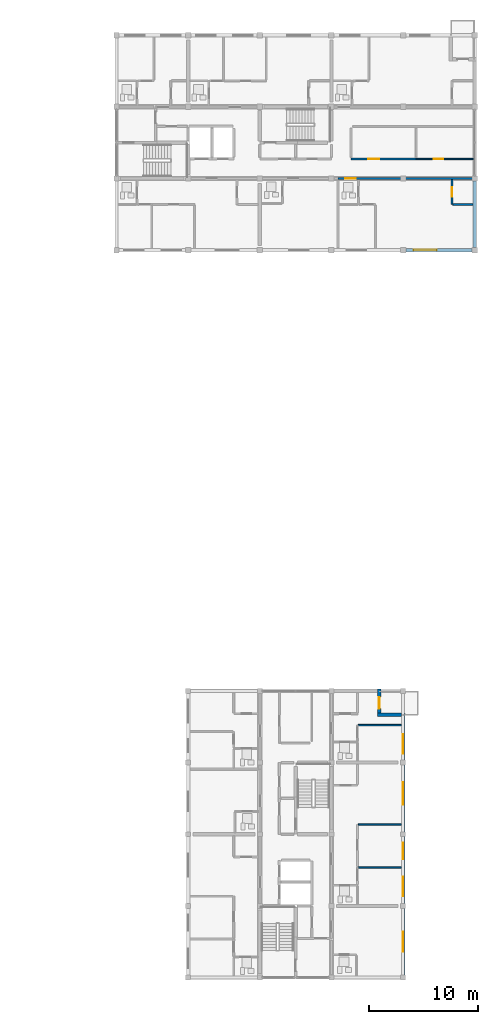
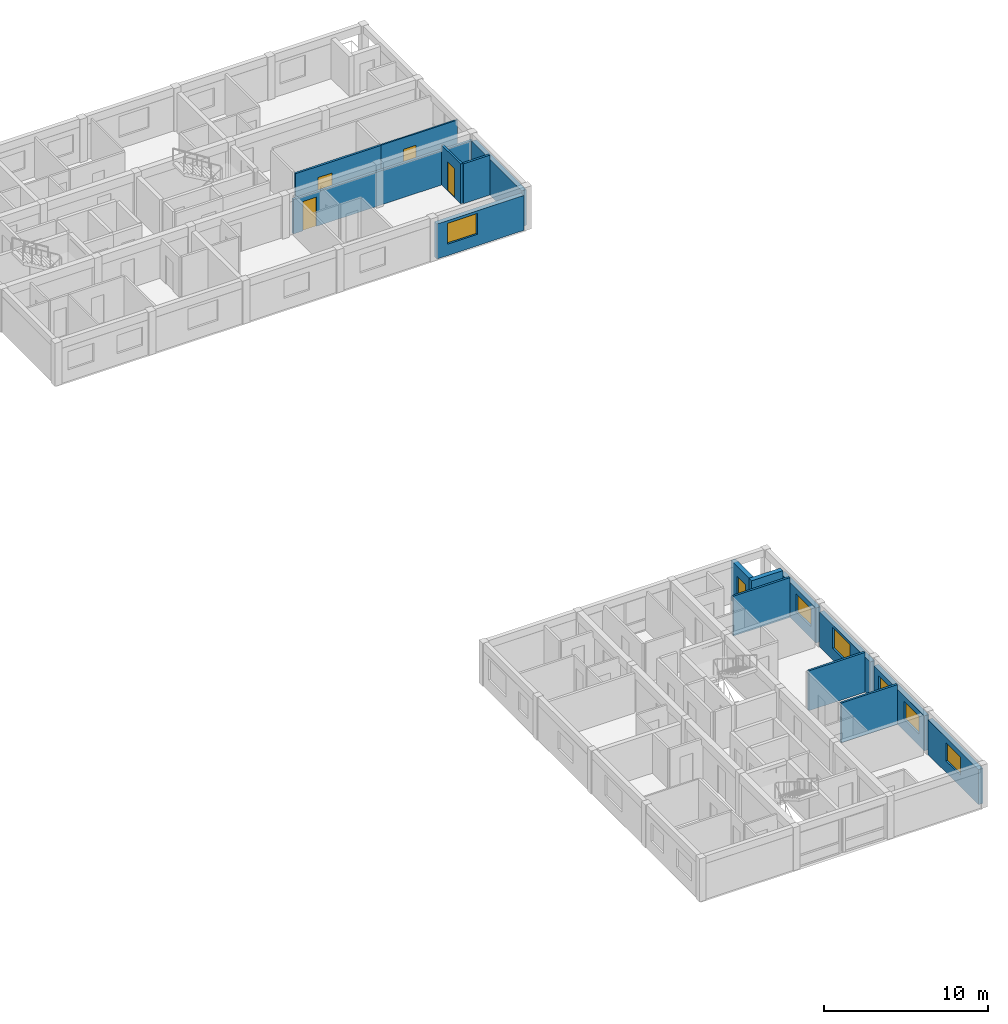
# One storey, part 37 of 45: 16 walls, 6 windows, 5 doors, 11 openings.
"""IFC4 building model written with IfcOpenShell, lengths in metres."""

from ifc_helpers import new_model, si_unit, direction, frame, frame_2d, origin, place, context, subcontext, project, spatial, rectangle, extrude, material, layer, layer_set, type_object, element, fill, save


model = new_model("IFC4")

# Units and contexts
model_context = context("Model", 3, precision=1e-05, world=origin(), true_north=direction((0.0, 1.0)))
body_context = subcontext(model_context, "Body", "Model", "MODEL_VIEW")
ifc_project = project(units=[si_unit("LENGTHUNIT", "METRE"), si_unit("AREAUNIT", "SQUARE_METRE"), si_unit("VOLUMEUNIT", "CUBIC_METRE"), si_unit("PLANEANGLEUNIT", "RADIAN"), si_unit("MASSUNIT", "GRAM", prefix="KILO")], contexts=[model_context])

# Site, building, storey
site_placement = place(None, origin())
site = spatial("IfcSite", under=ifc_project, at=site_placement, CompositionType="ELEMENT")
building_placement = place(site_placement, origin())
building = spatial("IfcBuilding", under=site, at=building_placement, Name="Kernevlak Ridge Housing Community", CompositionType="ELEMENT")
storey_placement = place(building_placement, frame((0.0, 0.0, 21.199951171875)))
storey = spatial("IfcBuildingStorey", under=building, at=storey_placement, Name="L06", CompositionType="ELEMENT", Elevation=21.199951171875)

# Wall, opening, window
ifc_material_1 = material(Name="Concrete block masonry M10", Category="masonry")
ifc_layer_1 = layer(ifc_material_1, 0.320068359375, Name="Concrete block masonry M10")
ifc_layer_set_1 = layer_set([ifc_layer_1], Name="Concrete block masonry M10")
wall_type_1 = type_object("IfcWallType", Name="EW-02", PredefinedType="STANDARD", material=ifc_layer_set_1)
wall_1_placement = place(storey_placement, frame((146.050048828125, 82.60009765625, 0.0), z_axis=(0.0, 0.0, 1.0), x_axis=(1.0, 0.0, 0.0)))
wall_1 = element("IfcWall", 1, at=wall_1_placement, inside=storey, type_object=wall_type_1, Name="Exterior wall EW-02 L06 391", PredefinedType="STANDARD", context=body_context, shape_type="SweptSolid", body=[
    extrude(rectangle(XDim=6.099853515625, YDim=0.320068359375, at=frame_2d((3.0498046875, 0.0))), origin(), (0.0, 0.0, 1.0), 2.60009765625),
])
opening_1_placement = place(wall_1_placement, frame((0.72509765625, 0.0, 0.85009765625)))
opening_1 = element("IfcOpeningElement", 2, at=opening_1_placement, cuts=wall_1, Name="Opening WT-05", PredefinedType="OPENING", context=body_context, shape_type="SweptSolid", body=[
    extrude(rectangle(XDim=2.10009765625, YDim=1.550048828125, at=frame_2d((1.050048828125, 0.77490234375))), frame((0.0, 0.169921875, 0.0), z_axis=(0.0, -1.0, 0.0), x_axis=(1.0, 0.0, 0.0)), (0.0, 0.0, 1.0), 0.340087890625),
])
ifc_material_2 = material(Name="Aluminium EN AW-6060 anodised and laminated glass", Category="aluminium")
window_type_1 = type_object("IfcWindowType", Name="WT-05", PartitioningType="SINGLE_PANEL", PredefinedType="WINDOW", material=ifc_material_2)
window_1_placement = place(opening_1_placement, origin())
window_1 = element("IfcWindow", 3, at=window_1_placement, inside=storey, type_object=window_type_1, Name="Window WT-05 L06 301", OverallHeight=1.550048828125, OverallWidth=2.10009765625, PartitioningType="SINGLE_PANEL", PredefinedType="WINDOW", context=body_context, shape_type="SweptSolid", body=[
    extrude(rectangle(XDim=2.10009765625, YDim=1.550048828125, at=frame_2d((1.050048828125, 0.77490234375))), frame((0.0, 0.030029296875, 0.0), z_axis=(0.0, -1.0, 0.0), x_axis=(1.0, 0.0, 0.0)), (0.0, 0.0, 1.0), 0.06005859375),
])
fill(opening_1, window_1)

# Wall
wall_2_placement = place(storey_placement, frame((152.39990234375, 82.85009765625, 0.0), z_axis=(0.0, 0.0, 1.0), x_axis=(0.0, 1.0, 0.0)))
element("IfcWall", 4, at=wall_2_placement, inside=storey, type_object=wall_type_1, Name="Exterior wall EW-02 L06 401", PredefinedType="STANDARD", context=body_context, shape_type="SweptSolid", body=[
    extrude(rectangle(XDim=6.099853515625, YDim=0.320068359375, at=frame_2d((3.0498046875, 0.0))), origin(), (0.0, 0.0, 1.0), 2.650146484375),
])

# Wall, opening, window
wall_3_placement = place(storey_placement, frame((145.800048828125, 15.824951171875, 0.0), z_axis=(0.0, 0.0, 1.0), x_axis=(0.0, 1.0, 0.0)))
wall_3 = element("IfcWall", 5, at=wall_3_placement, inside=storey, type_object=wall_type_1, Name="Exterior wall EW-02 L06 618", PredefinedType="STANDARD", context=body_context, shape_type="SweptSolid", body=[
    extrude(rectangle(XDim=6.150146484375, YDim=0.320068359375, at=frame_2d((3.0751953125, 0.0))), origin(), (0.0, 0.0, 1.0), 2.60009765625),
])
opening_2_placement = place(wall_3_placement, frame((2.175048828125, 0.0, 0.85009765625)))
opening_2 = element("IfcOpeningElement", 6, at=opening_2_placement, cuts=wall_3, Name="Opening WT-03", PredefinedType="OPENING", context=body_context, shape_type="SweptSolid", body=[
    extrude(rectangle(XDim=1.800048828125, YDim=1.35009765625, at=frame_2d((0.89990234375, 0.675048828125))), frame((0.0, 0.169921875, 0.0), z_axis=(0.0, -1.0, 0.0), x_axis=(1.0, 0.0, 0.0)), (0.0, 0.0, 1.0), 0.340087890625),
])
window_type_2 = type_object("IfcWindowType", Name="WT-03", PartitioningType="SINGLE_PANEL", PredefinedType="WINDOW", material=ifc_material_2)
window_2_placement = place(opening_2_placement, origin())
window_2 = element("IfcWindow", 7, at=window_2_placement, inside=storey, type_object=window_type_2, Name="Window WT-03 L06 504", OverallHeight=1.35009765625, OverallWidth=1.800048828125, PartitioningType="SINGLE_PANEL", PredefinedType="WINDOW", context=body_context, shape_type="SweptSolid", body=[
    extrude(rectangle(XDim=1.800048828125, YDim=1.35009765625, at=frame_2d((0.89990234375, 0.675048828125))), frame((0.0, 0.030029296875, 0.0), z_axis=(0.0, -1.0, 0.0), x_axis=(1.0, 0.0, 0.0)), (0.0, 0.0, 1.0), 0.06005859375),
])
fill(opening_2, window_2)

# Wall, openings, windows
wall_4_placement = place(storey_placement, frame((145.800048828125, 22.425048828125, 0.0), z_axis=(0.0, 0.0, 1.0), x_axis=(0.0, 1.0, 0.0)))
wall_4 = element("IfcWall", 8, at=wall_4_placement, inside=storey, type_object=wall_type_1, Name="Exterior wall EW-02 L06 619", PredefinedType="STANDARD", context=body_context, shape_type="SweptSolid", body=[
    extrude(rectangle(XDim=6.14990234375, YDim=0.320068359375, at=frame_2d((3.074951171875, 0.0))), origin(), (0.0, 0.0, 1.0), 2.60009765625),
])
opening_3_placement = place(wall_4_placement, frame((0.64990234375, 0.0, 0.85009765625)))
opening_3 = element("IfcOpeningElement", 9, at=opening_3_placement, cuts=wall_4, Name="Opening WT-03", PredefinedType="OPENING", context=body_context, shape_type="SweptSolid", body=[
    extrude(rectangle(XDim=1.800048828125, YDim=1.35009765625, at=frame_2d((0.89990234375, 0.675048828125))), frame((0.0, 0.169921875, 0.0), z_axis=(0.0, -1.0, 0.0), x_axis=(1.0, 0.0, 0.0)), (0.0, 0.0, 1.0), 0.340087890625),
])
opening_4_placement = place(wall_4_placement, frame((4.074951171875, 0.0, 0.85009765625)))
opening_4 = element("IfcOpeningElement", 10, at=opening_4_placement, cuts=wall_4, Name="Opening WT-02", PredefinedType="OPENING", context=body_context, shape_type="SweptSolid", body=[
    extrude(rectangle(XDim=1.5, YDim=1.35009765625, at=frame_2d((0.75, 0.675048828125))), frame((0.0, 0.169921875, 0.0), z_axis=(0.0, -1.0, 0.0), x_axis=(1.0, 0.0, 0.0)), (0.0, 0.0, 1.0), 0.340087890625),
])
window_type_3 = type_object("IfcWindowType", Name="WT-02", PartitioningType="SINGLE_PANEL", PredefinedType="WINDOW", material=ifc_material_2)
window_3_placement = place(opening_4_placement, origin())
window_3 = element("IfcWindow", 11, at=window_3_placement, inside=storey, type_object=window_type_3, Name="Window WT-02 L06 506", OverallHeight=1.35009765625, OverallWidth=1.5, PartitioningType="SINGLE_PANEL", PredefinedType="WINDOW", context=body_context, shape_type="SweptSolid", body=[
    extrude(rectangle(XDim=1.5, YDim=1.35009765625, at=frame_2d((0.75, 0.675048828125))), frame((0.0, 0.030029296875, 0.0), z_axis=(0.0, -1.0, 0.0), x_axis=(1.0, 0.0, 0.0)), (0.0, 0.0, 1.0), 0.06005859375),
])
fill(opening_4, window_3)
window_4_placement = place(opening_3_placement, origin())
window_4 = element("IfcWindow", 12, at=window_4_placement, inside=storey, type_object=window_type_2, Name="Window WT-03 L06 505", OverallHeight=1.35009765625, OverallWidth=1.800048828125, PartitioningType="SINGLE_PANEL", PredefinedType="WINDOW", context=body_context, shape_type="SweptSolid", body=[
    extrude(rectangle(XDim=1.800048828125, YDim=1.35009765625, at=frame_2d((0.89990234375, 0.675048828125))), frame((0.0, 0.030029296875, 0.0), z_axis=(0.0, -1.0, 0.0), x_axis=(1.0, 0.0, 0.0)), (0.0, 0.0, 1.0), 0.06005859375),
])
fill(opening_3, window_4)

# Wall, opening, window
wall_5_placement = place(storey_placement, frame((145.800048828125, 29.02490234375, 0.0), z_axis=(0.0, 0.0, 1.0), x_axis=(0.0, 1.0, 0.0)))
wall_5 = element("IfcWall", 13, at=wall_5_placement, inside=storey, type_object=wall_type_1, Name="Exterior wall EW-02 L06 620", PredefinedType="STANDARD", context=body_context, shape_type="SweptSolid", body=[
    extrude(rectangle(XDim=6.150146484375, YDim=0.320068359375, at=frame_2d((3.0751953125, 0.0))), origin(), (0.0, 0.0, 1.0), 2.60009765625),
])
opening_5_placement = place(wall_5_placement, frame((2.470947265625, 0.0, 0.85009765625)))
opening_5 = element("IfcOpeningElement", 14, at=opening_5_placement, cuts=wall_5, Name="Opening WT-05", PredefinedType="OPENING", context=body_context, shape_type="SweptSolid", body=[
    extrude(rectangle(XDim=2.10009765625, YDim=1.550048828125, at=frame_2d((1.050048828125, 0.77490234375))), frame((0.0, 0.169921875, 0.0), z_axis=(0.0, -1.0, 0.0), x_axis=(1.0, 0.0, 0.0)), (0.0, 0.0, 1.0), 0.340087890625),
])
window_5_placement = place(opening_5_placement, origin())
window_5 = element("IfcWindow", 15, at=window_5_placement, inside=storey, type_object=window_type_1, Name="Window WT-05 L06 507", OverallHeight=1.550048828125, OverallWidth=2.10009765625, PartitioningType="SINGLE_PANEL", PredefinedType="WINDOW", context=body_context, shape_type="SweptSolid", body=[
    extrude(rectangle(XDim=2.10009765625, YDim=1.550048828125, at=frame_2d((1.050048828125, 0.77490234375))), frame((0.0, 0.030029296875, 0.0), z_axis=(0.0, -1.0, 0.0), x_axis=(1.0, 0.0, 0.0)), (0.0, 0.0, 1.0), 0.06005859375),
])
fill(opening_5, window_5)

wall_6_placement = place(storey_placement, frame((145.800048828125, 35.625, 0.0), z_axis=(0.0, 0.0, 1.0), x_axis=(0.0, 1.0, 0.0)))
wall_6 = element("IfcWall", 16, at=wall_6_placement, inside=storey, type_object=wall_type_1, Name="Exterior wall EW-02 L06 621", PredefinedType="STANDARD", context=body_context, shape_type="SweptSolid", body=[
    extrude(rectangle(XDim=4.3349609375, YDim=0.320068359375, at=frame_2d((2.16748046875, 0.0))), origin(), (0.0, 0.0, 1.0), 2.60009765625),
])
opening_6_placement = place(wall_6_placement, frame((0.60009765625, 0.0, 0.85009765625)))
opening_6 = element("IfcOpeningElement", 17, at=opening_6_placement, cuts=wall_6, Name="Opening WT-03", PredefinedType="OPENING", context=body_context, shape_type="SweptSolid", body=[
    extrude(rectangle(XDim=1.800048828125, YDim=1.35009765625, at=frame_2d((0.89990234375, 0.675048828125))), frame((0.0, 0.169921875, 0.0), z_axis=(0.0, -1.0, 0.0), x_axis=(1.0, 0.0, 0.0)), (0.0, 0.0, 1.0), 0.340087890625),
])
window_6_placement = place(opening_6_placement, origin())
window_6 = element("IfcWindow", 18, at=window_6_placement, inside=storey, type_object=window_type_2, Name="Window WT-03 L06 508", OverallHeight=1.35009765625, OverallWidth=1.800048828125, PartitioningType="SINGLE_PANEL", PredefinedType="WINDOW", context=body_context, shape_type="SweptSolid", body=[
    extrude(rectangle(XDim=1.800048828125, YDim=1.35009765625, at=frame_2d((0.89990234375, 0.675048828125))), frame((0.0, 0.030029296875, 0.0), z_axis=(0.0, -1.0, 0.0), x_axis=(1.0, 0.0, 0.0)), (0.0, 0.0, 1.0), 0.06005859375),
])
fill(opening_6, window_6)

# Wall
wall_7_placement = place(storey_placement, frame((145.639892578125, 39.800048828125, 0.0), z_axis=(0.0, 0.0, 1.0), x_axis=(-1.0, 0.0, 0.0)))
element("IfcWall", 19, at=wall_7_placement, inside=storey, type_object=wall_type_1, Name="Exterior wall EW-02 L06 622", PredefinedType="STANDARD", context=body_context, shape_type="SweptSolid", body=[
    extrude(rectangle(XDim=2.199951171875, YDim=0.320068359375, at=frame_2d((1.10009765625, 0.0))), origin(), (0.0, 0.0, 1.0), 2.9599609375),
])

# Wall, opening, door
wall_8_placement = place(storey_placement, frame((143.60009765625, 39.9599609375, 0.0), z_axis=(0.0, 0.0, 1.0), x_axis=(0.0, 1.0, 0.0)))
wall_8 = element("IfcWall", 20, at=wall_8_placement, inside=storey, type_object=wall_type_1, Name="Exterior wall EW-02 L06 623", PredefinedType="STANDARD", context=body_context, shape_type="SweptSolid", body=[
    extrude(rectangle(XDim=2.199951171875, YDim=0.320068359375, at=frame_2d((1.10009765625, 0.0))), origin(), (0.0, 0.0, 1.0), 2.9599609375),
])
opening_7_placement = place(wall_8_placement, frame((0.39990234375, 0.0, 0.0)))
opening_7 = element("IfcOpeningElement", 21, at=opening_7_placement, cuts=wall_8, Name="Opening E292", PredefinedType="OPENING", context=body_context, shape_type="SweptSolid", body=[
    extrude(rectangle(XDim=1.080078125, YDim=2.219970703125, at=frame_2d((0.5400390625, 1.10986328125))), frame((0.0, 0.169921875, 0.0), z_axis=(0.0, -1.0, 0.0), x_axis=(1.0, 0.0, 0.0)), (0.0, 0.0, 1.0), 0.340087890625),
])
ifc_material_3 = material(Name="Aluminium EN AW-6060 and laminated safety glass", Category="aluminium")
door_type_1 = type_object("IfcDoorType", Name="DT-34", OperationType="NOTDEFINED", PredefinedType="DOOR", material=ifc_material_3)
door_1_placement = place(opening_7_placement, origin())
door_1 = element("IfcDoor", 22, at=door_1_placement, inside=storey, type_object=door_type_1, Name="Flat C0623 corner balcony glazed door E292", OperationType="SINGLE_SWING_LEFT", OverallHeight=2.219970703125, OverallWidth=1.080078125, PredefinedType="DOOR", context=body_context, shape_type="SweptSolid", body=[
    extrude(rectangle(XDim=1.080078125, YDim=2.219970703125, at=frame_2d((0.5400390625, 1.10986328125))), frame((0.0, 0.02490234375, 0.0), z_axis=(0.0, -1.0, 0.0), x_axis=(1.0, 0.0, 0.0)), (0.0, 0.0, 1.0), 0.050048828125),
])
fill(opening_7, door_1)

ifc_layer_2 = layer(ifc_material_1, 0.175048828125, Name="Concrete block masonry M10")
ifc_layer_set_2 = layer_set([ifc_layer_2], Name="Concrete block masonry M10")
wall_type_2 = type_object("IfcWallType", Name="PW-02", PredefinedType="PARTITIONING", material=ifc_layer_set_2)
wall_9_placement = place(storey_placement, frame((139.800048828125, 89.199951171875, 0.0), z_axis=(0.0, 0.0, 1.0), x_axis=(1.0, 0.0, 0.0)))
wall_9 = element("IfcWall", 23, at=wall_9_placement, inside=storey, type_object=wall_type_2, Name="Interior wall PW-02 WAL-INT-L06-1543", PredefinedType="PARTITIONING", context=body_context, shape_type="SweptSolid", body=[
    extrude(rectangle(XDim=12.599853515625, YDim=0.175048828125, at=frame_2d((6.2998046875, 0.0))), origin(), (0.0, 0.0, 1.0), 2.550048828125),
])
opening_8_placement = place(wall_9_placement, frame((0.669921875, 0.0, 0.0)))
opening_8 = element("IfcOpeningElement", 24, at=opening_8_placement, cuts=wall_9, Name="Opening D780", PredefinedType="OPENING", context=body_context, shape_type="SweptSolid", body=[
    extrude(rectangle(XDim=0.9599609375, YDim=2.179931640625, at=frame_2d((0.47998046875, 1.08984375))), frame((0.0, 0.097412109375, 0.0), z_axis=(0.0, -1.0, 0.0), x_axis=(1.0, 0.0, 0.0)), (0.0, 0.0, 1.0), 0.195068359375),
])
ifc_material_4 = material(Name="Hardwood timber solid-core fire leaf", Category="wood")
door_type_2 = type_object("IfcDoorType", Name="DT-29", OperationType="NOTDEFINED", PredefinedType="DOOR", material=ifc_material_4)
door_2_placement = place(opening_8_placement, origin())
door_2 = element("IfcDoor", 25, at=door_2_placement, inside=storey, type_object=door_type_2, Name="Flat B0613 entrance fire door D780", OperationType="SINGLE_SWING_RIGHT", OverallHeight=2.179931640625, OverallWidth=0.9599609375, PredefinedType="DOOR", context=body_context, shape_type="SweptSolid", body=[
    extrude(rectangle(XDim=0.9599609375, YDim=2.179931640625, at=frame_2d((0.47998046875, 1.08984375))), frame((0.0, 0.02490234375, 0.0), z_axis=(0.0, -1.0, 0.0), x_axis=(1.0, 0.0, 0.0)), (0.0, 0.0, 1.0), 0.050048828125),
])
fill(opening_8, door_2)

ifc_layer_3 = layer(ifc_material_1, 0.14501953125, Name="Concrete block masonry M10")
ifc_layer_set_3 = layer_set([ifc_layer_3], Name="Concrete block masonry M10")
wall_type_3 = type_object("IfcWallType", Name="PW-03", PredefinedType="PARTITIONING", material=ifc_layer_set_3)
wall_10_placement = place(storey_placement, frame((141.0, 91.0, 0.0), z_axis=(0.0, 0.0, 1.0), x_axis=(1.0, 0.0, 0.0)))
wall_10 = element("IfcWall", 26, at=wall_10_placement, inside=storey, type_object=wall_type_3, Name="Interior wall PW-03 WAL-INT-L06-1525", PredefinedType="PARTITIONING", context=body_context, shape_type="SweptSolid", body=[
    extrude(rectangle(XDim=6.0, YDim=0.14501953125, at=frame_2d((3.0, 0.0))), origin(), (0.0, 0.0, 1.0), 2.9599609375),
])
opening_9_placement = place(wall_10_placement, frame((1.60009765625, 0.0, 0.0)))
opening_9 = element("IfcOpeningElement", 27, at=opening_9_placement, cuts=wall_10, Name="Opening D771", PredefinedType="OPENING", context=body_context, shape_type="SweptSolid", body=[
    extrude(rectangle(XDim=0.97998046875, YDim=2.1201171875, at=frame_2d((0.489990234375, 1.06005859375))), frame((0.0, 0.08251953125, 0.0), z_axis=(0.0, -1.0, 0.0), x_axis=(1.0, 0.0, 0.0)), (0.0, 0.0, 1.0), 0.1650390625),
])
ifc_material_5 = material(Name="Hardwood timber leaf", Category="wood")
door_type_3 = type_object("IfcDoorType", Name="DT-24", OperationType="NOTDEFINED", PredefinedType="DOOR", material=ifc_material_5)
door_3_placement = place(opening_9_placement, origin())
door_3 = element("IfcDoor", 28, at=door_3_placement, inside=storey, type_object=door_type_3, Name="Block B Laundry room door D771", OperationType="SINGLE_SWING_LEFT", OverallHeight=2.1201171875, OverallWidth=0.97998046875, PredefinedType="DOOR", context=body_context, shape_type="SweptSolid", body=[
    extrude(rectangle(XDim=0.97998046875, YDim=2.1201171875, at=frame_2d((0.489990234375, 1.06005859375))), frame((0.0, 0.02490234375, 0.0), z_axis=(0.0, -1.0, 0.0), x_axis=(1.0, 0.0, 0.0)), (0.0, 0.0, 1.0), 0.050048828125),
])
fill(opening_9, door_3)

# Walls
for number, where, z_axis, x_axis, name in (
    (29, (141.6826171875, 25.75, 0.0), (0.0, 0.0, 1.0), (1.0, 0.0, 0.0), "Interior wall PW-03 WAL-INT-L06-2538"),
    (30, (141.6826171875, 29.69189453125, 0.0), (0.0, 0.0, 1.0), (1.0, 0.0, 0.0), "Interior wall PW-03 WAL-INT-L06-2540"),
):
    element("IfcWall", number, at=place(storey_placement, frame(where, z_axis=z_axis, x_axis=x_axis)), inside=storey, type_object=wall_type_3, Name=name, PredefinedType="PARTITIONING", context=body_context, shape_type="SweptSolid", body=[
        extrude(rectangle(XDim=3.947265625, YDim=0.14501953125, at=frame_2d((1.9736328125, 0.0))), origin(), (0.0, 0.0, 1.0), 2.9599609375),
    ])
wall_11_placement = place(storey_placement, frame((141.679931640625, 38.85009765625, 0.0), z_axis=(0.0, 0.0, 1.0), x_axis=(1.0, 0.0, 0.0)))
element("IfcWall", 31, at=wall_11_placement, inside=storey, type_object=wall_type_3, Name="Interior wall PW-03 WAL-INT-L06-2547", PredefinedType="PARTITIONING", context=body_context, shape_type="SweptSolid", body=[
    extrude(rectangle(XDim=3.949951171875, YDim=0.14501953125, at=frame_2d((1.97509765625, 0.0))), origin(), (0.0, 0.0, 1.0), 2.9599609375),
])

# Wall, opening, door
ifc_material_6 = material(Name="Gypsum plasterboard EN 520", Category="gypsum")
ifc_layer_4 = layer(ifc_material_6, 0.155029296875, Name="Gypsum plasterboard EN 520")
ifc_layer_set_4 = layer_set([ifc_layer_4], Name="Gypsum plasterboard EN 520")
wall_type_4 = type_object("IfcWallType", Name="PW-05", PredefinedType="PARTITIONING", material=ifc_layer_set_4)
wall_12_placement = place(storey_placement, frame((150.300048828125, 89.1025390625, 0.0), z_axis=(0.0, 0.0, 1.0), x_axis=(0.0, -1.0, 0.0)))
wall_12 = element("IfcWall", 32, at=wall_12_placement, inside=storey, type_object=wall_type_4, Name="Interior wall PW-05 WAL-INT-L06-1546", PredefinedType="PARTITIONING", context=body_context, shape_type="SweptSolid", body=[
    extrude(rectangle(XDim=2.302490234375, YDim=0.155029296875, at=frame_2d((1.1513671875, 0.0))), origin(), (0.0, 0.0, 1.0), 2.9599609375),
])
opening_10_placement = place(wall_12_placement, frame((0.699951171875, 0.0, 0.0)))
opening_10 = element("IfcOpeningElement", 33, at=opening_10_placement, cuts=wall_12, Name="Opening D782", PredefinedType="OPENING", context=body_context, shape_type="SweptSolid", body=[
    extrude(rectangle(XDim=0.8798828125, YDim=2.159912109375, at=frame_2d((0.43994140625, 1.080078125))), frame((0.0, 0.08740234375, 0.0), z_axis=(0.0, -1.0, 0.0), x_axis=(1.0, 0.0, 0.0)), (0.0, 0.0, 1.0), 0.175048828125),
])
door_type_4 = type_object("IfcDoorType", Name="DT-26", OperationType="NOTDEFINED", PredefinedType="DOOR", material=ifc_material_5)
door_4_placement = place(opening_10_placement, origin())
door_4 = element("IfcDoor", 34, at=door_4_placement, inside=storey, type_object=door_type_4, Name="Flat B0613 kitchen door D782", OperationType="SINGLE_SWING_RIGHT", OverallHeight=2.159912109375, OverallWidth=0.8798828125, PredefinedType="DOOR", context=body_context, shape_type="SweptSolid", body=[
    extrude(rectangle(XDim=0.8798828125, YDim=2.159912109375, at=frame_2d((0.43994140625, 1.080078125))), frame((0.0, 0.02490234375, 0.0), z_axis=(0.0, -1.0, 0.0), x_axis=(1.0, 0.0, 0.0)), (0.0, 0.0, 1.0), 0.050048828125),
])
fill(opening_10, door_4)

# Wall
wall_13_placement = place(storey_placement, frame((150.387451171875, 86.800048828125, 0.0), z_axis=(0.0, 0.0, 1.0), x_axis=(1.0, 0.0, 0.0)))
element("IfcWall", 35, at=wall_13_placement, inside=storey, type_object=wall_type_4, Name="Interior wall PW-05 WAL-INT-L06-1547", PredefinedType="PARTITIONING", context=body_context, shape_type="SweptSolid", body=[
    extrude(rectangle(XDim=1.842529296875, YDim=0.155029296875, at=frame_2d((0.92138671875, 0.0))), origin(), (0.0, 0.0, 1.0), 2.9599609375),
])

# Wall, opening, door
ifc_layer_5 = layer(ifc_material_6, 0.10498046875, Name="Gypsum plasterboard EN 520")
ifc_layer_set_5 = layer_set([ifc_layer_5], Name="Gypsum plasterboard EN 520")
wall_type_5 = type_object("IfcWallType", Name="PW-06", PredefinedType="PARTITIONING", material=ifc_layer_set_5)
wall_14_placement = place(storey_placement, frame((147.0, 91.0, 0.0), z_axis=(0.0, 0.0, 1.0), x_axis=(1.0, 0.0, 0.0)))
wall_14 = element("IfcWall", 36, at=wall_14_placement, inside=storey, type_object=wall_type_5, Name="Interior wall PW-06 WAL-INT-L06-1526", PredefinedType="PARTITIONING", context=body_context, shape_type="SweptSolid", body=[
    extrude(rectangle(XDim=5.39990234375, YDim=0.10498046875, at=frame_2d((2.699951171875, 0.0))), origin(), (0.0, 0.0, 1.0), 2.9599609375),
])
opening_11_placement = place(wall_14_placement, frame((1.60009765625, 0.0, 0.0)))
opening_11 = element("IfcOpeningElement", 37, at=opening_11_placement, cuts=wall_14, Name="Opening D772", PredefinedType="OPENING", context=body_context, shape_type="SweptSolid", body=[
    extrude(rectangle(XDim=0.8798828125, YDim=2.10009765625, at=frame_2d((0.43994140625, 1.050048828125))), frame((0.0, 0.0625, 0.0), z_axis=(0.0, -1.0, 0.0), x_axis=(1.0, 0.0, 0.0)), (0.0, 0.0, 1.0), 0.125),
])
door_type_5 = type_object("IfcDoorType", Name="DT-25", OperationType="NOTDEFINED", PredefinedType="DOOR", material=ifc_material_5)
door_5_placement = place(opening_11_placement, origin())
door_5 = element("IfcDoor", 38, at=door_5_placement, inside=storey, type_object=door_type_5, Name="Block B Study room door D772", OperationType="SINGLE_SWING_RIGHT", OverallHeight=2.10009765625, OverallWidth=0.8798828125, PredefinedType="DOOR", context=body_context, shape_type="SweptSolid", body=[
    extrude(rectangle(XDim=0.8798828125, YDim=2.10009765625, at=frame_2d((0.43994140625, 1.050048828125))), frame((0.0, 0.02490234375, 0.0), z_axis=(0.0, -1.0, 0.0), x_axis=(1.0, 0.0, 0.0)), (0.0, 0.0, 1.0), 0.050048828125),
])
fill(opening_11, door_5)

save(model, "model.ifc")
